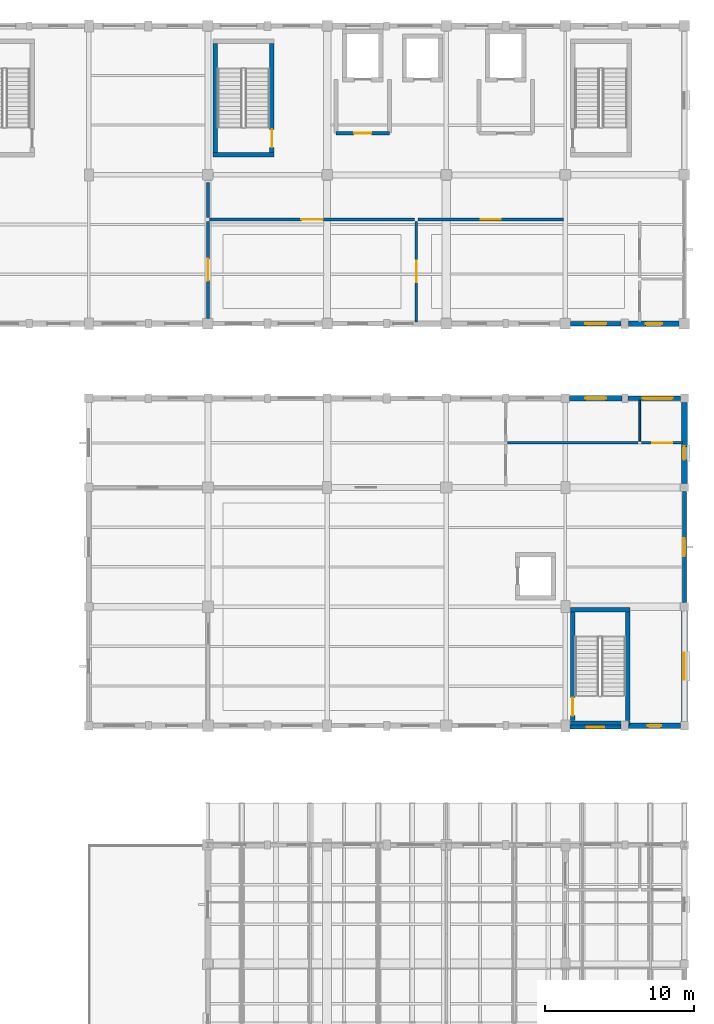
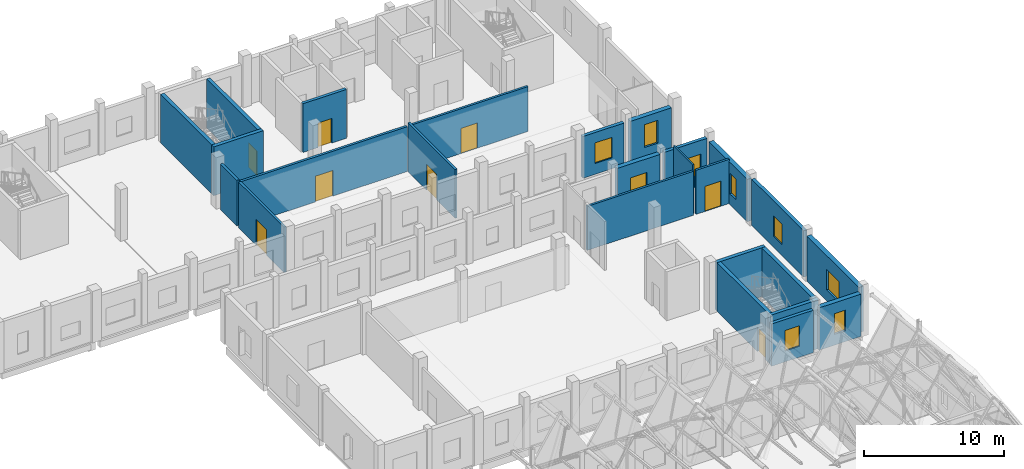
# One storey, part 49 of 77: 25 walls, 9 windows, 8 doors, 17 openings.
"""IFC4 building model written with IfcOpenShell, lengths in metres."""

from ifc_helpers import new_model, si_unit, direction, frame, frame_2d, origin, place, context, subcontext, project, spatial, rectangle, extrude, material, layer, layer_set, type_object, element, fill, save


model = new_model("IFC4")

# Units and contexts
model_context = context("Model", 3, precision=1e-05, world=origin(), true_north=direction((0.0, 1.0)))
body_context = subcontext(model_context, "Body", "Model", "MODEL_VIEW")
ifc_project = project(units=[si_unit("LENGTHUNIT", "METRE"), si_unit("AREAUNIT", "SQUARE_METRE"), si_unit("VOLUMEUNIT", "CUBIC_METRE"), si_unit("PLANEANGLEUNIT", "RADIAN"), si_unit("MASSUNIT", "GRAM", prefix="KILO")], contexts=[model_context])

# Site, building, storey
site_placement = place(None, origin())
site = spatial("IfcSite", under=ifc_project, at=site_placement, CompositionType="ELEMENT")
building_placement = place(site_placement, origin())
building = spatial("IfcBuilding", under=site, at=building_placement, Name="Luwemba Playhouse", CompositionType="ELEMENT")
storey_placement = place(building_placement, frame((0.0, 0.0, 9.300048828125)))
storey = spatial("IfcBuildingStorey", under=building, at=storey_placement, Name="L02", CompositionType="ELEMENT", Elevation=9.300048828125)

# Wall, opening, window
ifc_material_1 = material(Name="Clay facing brick obra vista masonry", Category="masonry")
ifc_layer_1 = layer(ifc_material_1, 0.3798828125)
ifc_layer_set_1 = layer_set([ifc_layer_1], Name="Clay facing brick obra vista masonry")
wall_type_1 = type_object("IfcWallType", Name="WAL-BRK-380", PredefinedType="SOLIDWALL", material=ifc_layer_set_1)
wall_1_placement = place(storey_placement, frame((164.27490234375, 90.0, 0.0), z_axis=(0.0, 0.0, 1.0), x_axis=(1.0, 0.0, 0.0)))
wall_1 = element("IfcWall", 1, at=wall_1_placement, inside=storey, type_object=wall_type_1, Name="L02 V4 exterior facade wall 0336", PredefinedType="SOLIDWALL", context=body_context, shape_type="SweptSolid", body=[
    extrude(rectangle(XDim=3.525146484375, YDim=0.3798828125, at=frame_2d((1.7626953125, 0.0))), origin(), (0.0, 0.0, 1.0), 3.954833984375),
])
opening_1_placement = place(wall_1_placement, frame((1.0625, 0.0, 0.949951171875)))
opening_1 = element("IfcOpeningElement", 2, at=opening_1_placement, cuts=wall_1, Name="Opening WN-02", PredefinedType="OPENING", context=body_context, shape_type="SweptSolid", body=[
    extrude(rectangle(XDim=1.39990234375, YDim=1.800048828125, at=frame_2d((0.699951171875, 0.89990234375))), frame((0.0, 0.199951171875, 0.0), z_axis=(0.0, -1.0, 0.0), x_axis=(1.0, 0.0, 0.0)), (0.0, 0.0, 1.0), 0.39990234375),
])
ifc_material_2 = material(Name="Solar-control double glazing in aluminium frame", Category="aluminium")
window_type_1 = type_object("IfcWindowType", Name="WIN-WN-02", PartitioningType="DOUBLE_PANEL_VERTICAL", PredefinedType="WINDOW", material=ifc_material_2)
window_1_placement = place(opening_1_placement, origin())
window_1 = element("IfcWindow", 3, at=window_1_placement, inside=storey, type_object=window_type_1, Name="L02 V4 scheduled window 0281", OverallHeight=1.800048828125, OverallWidth=1.39990234375, PartitioningType="DOUBLE_PANEL_VERTICAL", PredefinedType="WINDOW", context=body_context, shape_type="SweptSolid", body=[
    extrude(rectangle(XDim=1.39990234375, YDim=1.800048828125, at=frame_2d((0.699951171875, 0.89990234375))), frame((0.0, 0.030029296875, 0.0), z_axis=(0.0, -1.0, 0.0), x_axis=(1.0, 0.0, 0.0)), (0.0, 0.0, 1.0), 0.06005859375),
])
fill(opening_1, window_1)

wall_2_placement = place(storey_placement, frame((172.0, 89.72509765625, 0.0), z_axis=(0.0, 0.0, 1.0), x_axis=(0.0, -1.0, 0.0)))
wall_2 = element("IfcWall", 4, at=wall_2_placement, inside=storey, type_object=wall_type_1, Name="L02 V4 exterior facade wall 0338", PredefinedType="SOLIDWALL", context=body_context, shape_type="SweptSolid", body=[
    extrude(rectangle(XDim=5.4501953125, YDim=0.3798828125, at=frame_2d((2.72509765625, 0.0))), origin(), (0.0, 0.0, 1.0), 3.704833984375),
])
opening_2_placement = place(wall_2_placement, frame((2.965087890625, 0.0, 0.949951171875)))
opening_2 = element("IfcOpeningElement", 5, at=opening_2_placement, cuts=wall_2, Name="Opening WN-18", PredefinedType="OPENING", context=body_context, shape_type="SweptSolid", body=[
    extrude(rectangle(XDim=0.89990234375, YDim=1.800048828125, at=frame_2d((0.449951171875, 0.89990234375))), frame((0.0, 0.199951171875, 0.0), z_axis=(0.0, -1.0, 0.0), x_axis=(1.0, 0.0, 0.0)), (0.0, 0.0, 1.0), 0.39990234375),
])
window_type_2 = type_object("IfcWindowType", Name="WIN-WN-18", PartitioningType="SINGLE_PANEL", PredefinedType="WINDOW", material=ifc_material_2)
window_2_placement = place(opening_2_placement, origin())
window_2 = element("IfcWindow", 6, at=window_2_placement, inside=storey, type_object=window_type_2, Name="L02 V4 scheduled window 0283", OverallHeight=1.800048828125, OverallWidth=0.89990234375, PartitioningType="SINGLE_PANEL", PredefinedType="WINDOW", context=body_context, shape_type="SweptSolid", body=[
    extrude(rectangle(XDim=0.89990234375, YDim=1.800048828125, at=frame_2d((0.449951171875, 0.89990234375))), frame((0.0, 0.030029296875, 0.0), z_axis=(0.0, -1.0, 0.0), x_axis=(1.0, 0.0, 0.0)), (0.0, 0.0, 1.0), 0.06005859375),
])
fill(opening_2, window_2)

wall_3_placement = place(storey_placement, frame((172.0, 75.72509765625, 0.0), z_axis=(0.0, 0.0, 1.0), x_axis=(0.0, -1.0, 0.0)))
wall_3 = element("IfcWall", 7, at=wall_3_placement, inside=storey, type_object=wall_type_1, Name="L02 V4 exterior facade wall 0340", PredefinedType="SOLIDWALL", context=body_context, shape_type="SweptSolid", body=[
    extrude(rectangle(XDim=7.4501953125, YDim=0.3798828125, at=frame_2d((3.72509765625, 0.0))), origin(), (0.0, 0.0, 1.0), 3.954833984375),
])
opening_3_placement = place(wall_3_placement, frame((2.824951171875, 0.0, 0.949951171875)))
opening_3 = element("IfcOpeningElement", 8, at=opening_3_placement, cuts=wall_3, Name="Opening WN-04", PredefinedType="OPENING", context=body_context, shape_type="SweptSolid", body=[
    extrude(rectangle(XDim=1.800048828125, YDim=1.800048828125, at=frame_2d((0.89990234375, 0.89990234375))), frame((0.0, 0.199951171875, 0.0), z_axis=(0.0, -1.0, 0.0), x_axis=(1.0, 0.0, 0.0)), (0.0, 0.0, 1.0), 0.39990234375),
])
window_type_3 = type_object("IfcWindowType", Name="WIN-WN-04", PartitioningType="DOUBLE_PANEL_VERTICAL", PredefinedType="WINDOW", material=ifc_material_2)
window_3_placement = place(opening_3_placement, origin())
window_3 = element("IfcWindow", 9, at=window_3_placement, inside=storey, type_object=window_type_3, Name="L02 V4 scheduled window 0285", OverallHeight=1.800048828125, OverallWidth=1.800048828125, PartitioningType="DOUBLE_PANEL_VERTICAL", PredefinedType="WINDOW", context=body_context, shape_type="SweptSolid", body=[
    extrude(rectangle(XDim=1.800048828125, YDim=1.800048828125, at=frame_2d((0.89990234375, 0.89990234375))), frame((0.0, 0.030029296875, 0.0), z_axis=(0.0, -1.0, 0.0), x_axis=(1.0, 0.0, 0.0)), (0.0, 0.0, 1.0), 0.06005859375),
])
fill(opening_3, window_3)

wall_4_placement = place(storey_placement, frame((171.72509765625, 68.0, 0.0), z_axis=(0.0, 0.0, 1.0), x_axis=(-1.0, 0.0, 0.0)))
wall_4 = element("IfcWall", 10, at=wall_4_placement, inside=storey, type_object=wall_type_1, Name="L02 V4 exterior facade wall 0341", PredefinedType="SOLIDWALL", context=body_context, shape_type="SweptSolid", body=[
    extrude(rectangle(XDim=3.47509765625, YDim=0.3798828125, at=frame_2d((1.737548828125, 0.0))), origin(), (0.0, 0.0, 1.0), 3.704833984375),
])
opening_4_placement = place(wall_4_placement, frame((1.28759765625, 0.0, 0.949951171875)))
opening_4 = element("IfcOpeningElement", 11, at=opening_4_placement, cuts=wall_4, Name="Opening WN-18", PredefinedType="OPENING", context=body_context, shape_type="SweptSolid", body=[
    extrude(rectangle(XDim=0.89990234375, YDim=1.800048828125, at=frame_2d((0.449951171875, 0.89990234375))), frame((0.0, 0.199951171875, 0.0), z_axis=(0.0, -1.0, 0.0), x_axis=(1.0, 0.0, 0.0)), (0.0, 0.0, 1.0), 0.39990234375),
])
window_4_placement = place(opening_4_placement, origin())
window_4 = element("IfcWindow", 12, at=window_4_placement, inside=storey, type_object=window_type_2, Name="L02 V4 scheduled window 0286", OverallHeight=1.800048828125, OverallWidth=0.89990234375, PartitioningType="SINGLE_PANEL", PredefinedType="WINDOW", context=body_context, shape_type="SweptSolid", body=[
    extrude(rectangle(XDim=0.89990234375, YDim=1.800048828125, at=frame_2d((0.449951171875, 0.89990234375))), frame((0.0, 0.030029296875, 0.0), z_axis=(0.0, -1.0, 0.0), x_axis=(1.0, 0.0, 0.0)), (0.0, 0.0, 1.0), 0.06005859375),
])
fill(opening_4, window_4)

wall_5_placement = place(storey_placement, frame((171.64990234375, 95.0, 0.0), z_axis=(0.0, 0.0, 1.0), x_axis=(-1.0, 0.0, 0.0)))
wall_5 = element("IfcWall", 13, at=wall_5_placement, inside=storey, type_object=wall_type_1, Name="L02 V6E exterior facade wall 0394", PredefinedType="SOLIDWALL", context=body_context, shape_type="SweptSolid", body=[
    extrude(rectangle(XDim=3.39990234375, YDim=0.3798828125, at=frame_2d((1.699951171875, 0.0))), origin(), (0.0, 0.0, 1.0), 3.655029296875),
])
opening_5_placement = place(wall_5_placement, frame((1.14990234375, 0.0, 0.949951171875)))
opening_5 = element("IfcOpeningElement", 14, at=opening_5_placement, cuts=wall_5, Name="Opening WN-19", PredefinedType="OPENING", context=body_context, shape_type="SweptSolid", body=[
    extrude(rectangle(XDim=1.10009765625, YDim=2.0, at=frame_2d((0.550048828125, 1.0))), frame((0.0, 0.199951171875, 0.0), z_axis=(0.0, -1.0, 0.0), x_axis=(1.0, 0.0, 0.0)), (0.0, 0.0, 1.0), 0.39990234375),
])
window_type_4 = type_object("IfcWindowType", Name="WIN-WN-19", PartitioningType="SINGLE_PANEL", PredefinedType="WINDOW", material=ifc_material_2)
window_5_placement = place(opening_5_placement, origin())
window_5 = element("IfcWindow", 15, at=window_5_placement, inside=storey, type_object=window_type_4, Name="L02 V6E scheduled window 0337", OverallHeight=2.0, OverallWidth=1.10009765625, PartitioningType="SINGLE_PANEL", PredefinedType="WINDOW", context=body_context, shape_type="SweptSolid", body=[
    extrude(rectangle(XDim=1.10009765625, YDim=2.0, at=frame_2d((0.550048828125, 1.0))), frame((0.0, 0.030029296875, 0.0), z_axis=(0.0, -1.0, 0.0), x_axis=(1.0, 0.0, 0.0)), (0.0, 0.0, 1.0), 0.06005859375),
])
fill(opening_5, window_5)

# Walls
ifc_material_3 = material(Name="Concrete C40/50", Category="concrete")
ifc_layer_2 = layer(ifc_material_3, 0.300048828125)
ifc_layer_set_2 = layer_set([ifc_layer_2], Name="Concrete C40/50")
wall_type_2 = type_object("IfcWallType", Name="WAL-CORE-300", PredefinedType="SHEAR", material=ifc_layer_set_2)
for number, where, z_axis, x_axis, name in (
    (16, (164.35009765625, 68.18994140625, 0.0), (0.0, 0.0, 1.0), (1.0, 0.0, 0.0), "L02 ST-07 stair core wall S"),
    (17, (168.35009765625, 75.81005859375, 0.0), (0.0, 0.0, 1.0), (-1.0, 0.0, 0.0), "L02 ST-07 stair core wall N"),
):
    element("IfcWall", number, at=place(storey_placement, frame(where, z_axis=z_axis, x_axis=x_axis)), inside=storey, type_object=wall_type_2, Name=name, PredefinedType="SHEAR", context=body_context, shape_type="SweptSolid", body=[
        extrude(rectangle(XDim=4.0, YDim=0.300048828125, at=frame_2d((2.0, 0.0))), origin(), (0.0, 0.0, 1.0), 4.27001953125),
    ])

# Wall, opening, door
wall_6_placement = place(storey_placement, frame((164.5, 75.659912109375, 0.0), z_axis=(0.0, 0.0, 1.0), x_axis=(0.0, -1.0, 0.0)))
wall_6 = element("IfcWall", 18, at=wall_6_placement, inside=storey, type_object=wall_type_2, Name="L02 ST-07 stair core wall W", PredefinedType="SHEAR", context=body_context, shape_type="SweptSolid", body=[
    extrude(rectangle(XDim=7.31982421875, YDim=0.300048828125, at=frame_2d((3.659912109375, 0.0))), origin(), (0.0, 0.0, 1.0), 4.27001953125),
])
opening_6_placement = place(wall_6_placement, frame((5.77001953125, 0.0, 0.0)))
opening_6 = element("IfcOpeningElement", 19, at=opening_6_placement, cuts=wall_6, Name="Opening D-STAIR3", PredefinedType="OPENING", context=body_context, shape_type="SweptSolid", body=[
    extrude(rectangle(XDim=1.199951171875, YDim=2.14990234375, at=frame_2d((0.60009765625, 1.074951171875))), frame((0.0, 0.159912109375, 0.0), z_axis=(0.0, -1.0, 0.0), x_axis=(1.0, 0.0, 0.0)), (0.0, 0.0, 1.0), 0.320068359375),
])
ifc_material_4 = material(Name="Hardwood acoustic fire door leaf", Category="wood")
door_type_1 = type_object("IfcDoorType", Name="DR-STAIR-120", OperationType="NOTDEFINED", PredefinedType="DOOR", material=ifc_material_4)
door_1_placement = place(opening_6_placement, origin())
door_1 = element("IfcDoor", 20, at=door_1_placement, inside=storey, type_object=door_type_1, Name="L02 ST-07 protected stair entry door", OperationType="SINGLE_SWING_LEFT", OverallHeight=2.14990234375, OverallWidth=1.199951171875, PredefinedType="DOOR", context=body_context, shape_type="SweptSolid", body=[
    extrude(rectangle(XDim=1.199951171875, YDim=2.14990234375, at=frame_2d((0.60009765625, 1.074951171875))), frame((0.0, 0.02490234375, 0.0), z_axis=(0.0, -1.0, 0.0), x_axis=(1.0, 0.0, 0.0)), (0.0, 0.0, 1.0), 0.050048828125),
])
fill(opening_6, door_1)

# Walls
wall_7_placement = place(storey_placement, frame((168.199951171875, 75.659912109375, 0.0), z_axis=(0.0, 0.0, 1.0), x_axis=(0.0, -1.0, 0.0)))
element("IfcWall", 21, at=wall_7_placement, inside=storey, type_object=wall_type_2, Name="L02 ST-07 stair core wall E", PredefinedType="SHEAR", context=body_context, shape_type="SweptSolid", body=[
    extrude(rectangle(XDim=7.31982421875, YDim=0.300048828125, at=frame_2d((3.659912109375, 0.0))), origin(), (0.0, 0.0, 1.0), 4.27001953125),
])
wall_8_placement = place(storey_placement, frame((140.35009765625, 106.35009765625, 0.0), z_axis=(0.0, 0.0, 1.0), x_axis=(1.0, 0.0, 0.0)))
element("IfcWall", 22, at=wall_8_placement, inside=storey, type_object=wall_type_2, Name="L02 ST-09 stair core wall S", PredefinedType="SHEAR", context=body_context, shape_type="SweptSolid", body=[
    extrude(rectangle(XDim=4.099853515625, YDim=0.300048828125, at=frame_2d((2.0498046875, 0.0))), origin(), (0.0, 0.0, 1.0), 4.27001953125),
])
wall_9_placement = place(storey_placement, frame((140.5, 106.5, 0.0), z_axis=(0.0, 0.0, 1.0), x_axis=(0.0, 1.0, 0.0)))
element("IfcWall", 23, at=wall_9_placement, inside=storey, type_object=wall_type_2, Name="L02 ST-09 stair core wall W", PredefinedType="SHEAR", context=body_context, shape_type="SweptSolid", body=[
    extrude(rectangle(XDim=7.320068359375, YDim=0.300048828125, at=frame_2d((3.66015625, 0.0))), origin(), (0.0, 0.0, 1.0), 4.27001953125),
])

# Wall, opening, door
wall_10_placement = place(storey_placement, frame((144.300048828125, 106.5, 0.0), z_axis=(0.0, 0.0, 1.0), x_axis=(0.0, 1.0, 0.0)))
wall_10 = element("IfcWall", 24, at=wall_10_placement, inside=storey, type_object=wall_type_2, Name="L02 ST-09 stair core wall E", PredefinedType="SHEAR", context=body_context, shape_type="SweptSolid", body=[
    extrude(rectangle(XDim=7.320068359375, YDim=0.300048828125, at=frame_2d((3.66015625, 0.0))), origin(), (0.0, 0.0, 1.0), 4.27001953125),
])
opening_7_placement = place(wall_10_placement, frame((0.35009765625, 0.0, 0.0)))
opening_7 = element("IfcOpeningElement", 25, at=opening_7_placement, cuts=wall_10, Name="Opening D-STAIR3", PredefinedType="OPENING", context=body_context, shape_type="SweptSolid", body=[
    extrude(rectangle(XDim=1.199951171875, YDim=2.14990234375, at=frame_2d((0.60009765625, 1.074951171875))), frame((0.0, 0.159912109375, 0.0), z_axis=(0.0, -1.0, 0.0), x_axis=(1.0, 0.0, 0.0)), (0.0, 0.0, 1.0), 0.320068359375),
])
door_2_placement = place(opening_7_placement, origin())
door_2 = element("IfcDoor", 26, at=door_2_placement, inside=storey, type_object=door_type_1, Name="L02 ST-09 protected stair entry door", OperationType="SINGLE_SWING_LEFT", OverallHeight=2.14990234375, OverallWidth=1.199951171875, PredefinedType="DOOR", context=body_context, shape_type="SweptSolid", body=[
    extrude(rectangle(XDim=1.199951171875, YDim=2.14990234375, at=frame_2d((0.60009765625, 1.074951171875))), frame((0.0, 0.02490234375, 0.0), z_axis=(0.0, -1.0, 0.0), x_axis=(1.0, 0.0, 0.0)), (0.0, 0.0, 1.0), 0.050048828125),
])
fill(opening_7, door_2)

ifc_layer_3 = layer(ifc_material_3, 0.25)
ifc_layer_set_3 = layer_set([ifc_layer_3], Name="Concrete C40/50")
wall_type_3 = type_object("IfcWallType", Name="WAL-FFL-250", PredefinedType="SOLIDWALL", material=ifc_layer_set_3)
wall_11_placement = place(storey_placement, frame((152.199951171875, 107.800048828125, 0.0), z_axis=(0.0, 0.0, 1.0), x_axis=(-1.0, 0.0, 0.0)))
wall_11 = element("IfcWall", 27, at=wall_11_placement, inside=storey, type_object=wall_type_3, Name="L02 LF-FF1 firefighting lift lobby wall S", PredefinedType="SOLIDWALL", context=body_context, shape_type="SweptSolid", body=[
    extrude(rectangle(XDim=3.599853515625, YDim=0.25, at=frame_2d((1.7998046875, 0.0))), origin(), (0.0, 0.0, 1.0), 4.27001953125),
])
opening_8_placement = place(wall_11_placement, frame((1.22509765625, 0.0, 0.0)))
opening_8 = element("IfcOpeningElement", 28, at=opening_8_placement, cuts=wall_11, Name="Opening D-FD60", PredefinedType="OPENING", context=body_context, shape_type="SweptSolid", body=[
    extrude(rectangle(XDim=1.14990234375, YDim=2.14990234375, at=frame_2d((0.574951171875, 1.074951171875))), frame((0.0, 0.135009765625, 0.0), z_axis=(0.0, -1.0, 0.0), x_axis=(1.0, 0.0, 0.0)), (0.0, 0.0, 1.0), 0.27001953125),
])
ifc_material_5 = material(Name="Hardwood smoke-sealed fire door leaf", Category="wood")
door_type_2 = type_object("IfcDoorType", Name="DR-FFL-115", OperationType="NOTDEFINED", PredefinedType="DOOR", material=ifc_material_5)
door_3_placement = place(opening_8_placement, origin())
door_3 = element("IfcDoor", 29, at=door_3_placement, inside=storey, type_object=door_type_2, Name="L02 LF-FF1 firefighting lobby smoke door", OperationType="SINGLE_SWING_RIGHT", OverallHeight=2.14990234375, OverallWidth=1.14990234375, PredefinedType="DOOR", context=body_context, shape_type="SweptSolid", body=[
    extrude(rectangle(XDim=1.14990234375, YDim=2.14990234375, at=frame_2d((0.574951171875, 1.074951171875))), frame((0.0, 0.02490234375, 0.0), z_axis=(0.0, -1.0, 0.0), x_axis=(1.0, 0.0, 0.0)), (0.0, 0.0, 1.0), 0.050048828125),
])
fill(opening_8, door_3)

# Wall
ifc_material_6 = material(Name="Moisture-resistant sanitary partition", Category="gypsum")
ifc_layer_4 = layer(ifc_material_6, 0.1201171875)
ifc_layer_set_4 = layer_set([ifc_layer_4], Name="Moisture-resistant sanitary partition")
wall_type_4 = type_object("IfcWallType", Name="WAL-INT-120", PredefinedType="PARTITIONING", material=ifc_layer_set_4)
wall_12_placement = place(storey_placement, frame((169.0, 87.1201171875, 0.0), z_axis=(0.0, 0.0, 1.0), x_axis=(0.0, 1.0, 0.0)))
element("IfcWall", 30, at=wall_12_placement, inside=storey, type_object=wall_type_4, Name="L02 V4 interior partition 0185", PredefinedType="PARTITIONING", context=body_context, shape_type="SweptSolid", body=[
    extrude(rectangle(XDim=2.759765625, YDim=0.1201171875, at=frame_2d((1.3798828125, 0.0))), origin(), (0.0, 0.0, 1.0), 4.27001953125),
])

# Wall, opening, door
ifc_material_7 = material(Name="Double-stud acoustic gypsum partition", Category="gypsum")
ifc_layer_5 = layer(ifc_material_7, 0.179931640625)
ifc_layer_set_5 = layer_set([ifc_layer_5], Name="Double-stud acoustic gypsum partition")
wall_type_5 = type_object("IfcWallType", Name="WAL-INT-180", PredefinedType="PARTITIONING", material=ifc_layer_set_5)
wall_13_placement = place(storey_placement, frame((169.1201171875, 87.0, 0.0), z_axis=(0.0, 0.0, 1.0), x_axis=(1.0, 0.0, 0.0)))
wall_13 = element("IfcWall", 31, at=wall_13_placement, inside=storey, type_object=wall_type_5, Name="L02 V4 interior partition 0183", PredefinedType="PARTITIONING", context=body_context, shape_type="SweptSolid", body=[
    extrude(rectangle(XDim=2.759765625, YDim=0.179931640625, at=frame_2d((1.3798828125, 0.0))), origin(), (0.0, 0.0, 1.0), 3.85498046875),
])
opening_9_placement = place(wall_13_placement, frame((0.705078125, 0.0, 0.0)))
opening_9 = element("IfcOpeningElement", 32, at=opening_9_placement, cuts=wall_13, Name="Opening D-STU1", PredefinedType="OPENING", context=body_context, shape_type="SweptSolid", body=[
    extrude(rectangle(XDim=1.35009765625, YDim=2.199951171875, at=frame_2d((0.675048828125, 1.10009765625))), frame((0.0, 0.099853515625, 0.0), z_axis=(0.0, -1.0, 0.0), x_axis=(1.0, 0.0, 0.0)), (0.0, 0.0, 1.0), 0.199951171875),
])
ifc_material_8 = material(Name="Acoustic studio door", Category="wood")
door_type_3 = type_object("IfcDoorType", Name="DR-STU-135", OperationType="NOTDEFINED", PredefinedType="DOOR", material=ifc_material_8)
door_4_placement = place(opening_9_placement, origin())
door_4 = element("IfcDoor", 33, at=door_4_placement, inside=storey, type_object=door_type_3, Name="L02 Broadcast Master Control Room to Broadcast Floor Accessible WC door", OperationType="SINGLE_SWING_RIGHT", OverallHeight=2.199951171875, OverallWidth=1.35009765625, PredefinedType="DOOR", context=body_context, shape_type="SweptSolid", body=[
    extrude(rectangle(XDim=1.35009765625, YDim=2.199951171875, at=frame_2d((0.675048828125, 1.10009765625))), frame((0.0, 0.02490234375, 0.0), z_axis=(0.0, -1.0, 0.0), x_axis=(1.0, 0.0, 0.0)), (0.0, 0.0, 1.0), 0.050048828125),
])
fill(opening_9, door_4)

# Wall
wall_14_placement = place(storey_placement, frame((160.1201171875, 87.0, 0.0), z_axis=(0.0, 0.0, 1.0), x_axis=(1.0, 0.0, 0.0)))
element("IfcWall", 34, at=wall_14_placement, inside=storey, type_object=wall_type_5, Name="L02 V4 interior partition 0184", PredefinedType="PARTITIONING", context=body_context, shape_type="SweptSolid", body=[
    extrude(rectangle(XDim=8.759765625, YDim=0.179931640625, at=frame_2d((4.3798828125, 0.0))), origin(), (0.0, 0.0, 1.0), 3.85498046875),
])

# Wall, opening, door
wall_15_placement = place(storey_placement, frame((154.0, 95.1201171875, 0.0), z_axis=(0.0, 0.0, 1.0), x_axis=(0.0, 1.0, 0.0)))
wall_15 = element("IfcWall", 35, at=wall_15_placement, inside=storey, type_object=wall_type_5, Name="L02 V6E interior partition 0191", PredefinedType="PARTITIONING", context=body_context, shape_type="SweptSolid", body=[
    extrude(rectangle(XDim=6.759765625, YDim=0.179931640625, at=frame_2d((3.3798828125, 0.0))), origin(), (0.0, 0.0, 1.0), 4.27001953125),
])
opening_10_placement = place(wall_15_placement, frame((2.655029296875, 0.0, 0.0)))
opening_10 = element("IfcOpeningElement", 36, at=opening_10_placement, cuts=wall_15, Name="Opening D-REH1", PredefinedType="OPENING", context=body_context, shape_type="SweptSolid", body=[
    extrude(rectangle(XDim=1.449951171875, YDim=2.25, at=frame_2d((0.72509765625, 1.125))), frame((0.0, 0.099853515625, 0.0), z_axis=(0.0, -1.0, 0.0), x_axis=(1.0, 0.0, 0.0)), (0.0, 0.0, 1.0), 0.199951171875),
])
ifc_material_9 = material(Name="Acoustic rehearsal leaf-and-half door", Category="wood")
door_type_4 = type_object("IfcDoorType", Name="DR-REH-145", OperationType="NOTDEFINED", PredefinedType="DOOR", material=ifc_material_9)
door_5_placement = place(opening_10_placement, origin())
door_5 = element("IfcDoor", 37, at=door_5_placement, inside=storey, type_object=door_type_4, Name="L02 Percussion and Traditional Drum Studio to Vocal Coaching Suites door", OperationType="SINGLE_SWING_LEFT", OverallHeight=2.25, OverallWidth=1.449951171875, PredefinedType="DOOR", context=body_context, shape_type="SweptSolid", body=[
    extrude(rectangle(XDim=1.449951171875, YDim=2.25, at=frame_2d((0.72509765625, 1.125))), frame((0.0, 0.02490234375, 0.0), z_axis=(0.0, -1.0, 0.0), x_axis=(1.0, 0.0, 0.0)), (0.0, 0.0, 1.0), 0.050048828125),
])
fill(opening_10, door_5)

wall_16_placement = place(storey_placement, frame((154.1201171875, 102.0, 0.0), z_axis=(0.0, 0.0, 1.0), x_axis=(1.0, 0.0, 0.0)))
wall_16 = element("IfcWall", 38, at=wall_16_placement, inside=storey, type_object=wall_type_5, Name="L02 V6E interior partition 0193", PredefinedType="PARTITIONING", context=body_context, shape_type="SweptSolid", body=[
    extrude(rectangle(XDim=9.759765625, YDim=0.179931640625, at=frame_2d((4.8798828125, 0.0))), origin(), (0.0, 0.0, 1.0), 3.925048828125),
])
opening_11_placement = place(wall_16_placement, frame((4.205078125, 0.0, 0.0)))
opening_11 = element("IfcOpeningElement", 39, at=opening_11_placement, cuts=wall_16, Name="Opening D-STU1", PredefinedType="OPENING", context=body_context, shape_type="SweptSolid", body=[
    extrude(rectangle(XDim=1.35009765625, YDim=2.199951171875, at=frame_2d((0.675048828125, 1.10009765625))), frame((0.0, 0.099853515625, 0.0), z_axis=(0.0, -1.0, 0.0), x_axis=(1.0, 0.0, 0.0)), (0.0, 0.0, 1.0), 0.199951171875),
])
door_6_placement = place(opening_11_placement, origin())
door_6 = element("IfcDoor", 40, at=door_6_placement, inside=storey, type_object=door_type_3, Name="L02 Vocal Coaching Suites to Conservatory Level 2 Corridor door", OperationType="SINGLE_SWING_LEFT", OverallHeight=2.199951171875, OverallWidth=1.35009765625, PredefinedType="DOOR", context=body_context, shape_type="SweptSolid", body=[
    extrude(rectangle(XDim=1.35009765625, YDim=2.199951171875, at=frame_2d((0.675048828125, 1.10009765625))), frame((0.0, 0.02490234375, 0.0), z_axis=(0.0, -1.0, 0.0), x_axis=(1.0, 0.0, 0.0)), (0.0, 0.0, 1.0), 0.050048828125),
])
fill(opening_11, door_6)

ifc_material_10 = material(Name="Clay acoustic masonry blockwork", Category="masonry")
ifc_layer_6 = layer(ifc_material_10, 0.199951171875)
ifc_layer_set_6 = layer_set([ifc_layer_6], Name="Clay acoustic masonry blockwork")
wall_type_6 = type_object("IfcWallType", Name="WAL-INT-200", PredefinedType="PARTITIONING", material=ifc_layer_set_6)
wall_17_placement = place(storey_placement, frame((140.0, 95.3701171875, 0.0), z_axis=(0.0, 0.0, 1.0), x_axis=(0.0, 1.0, 0.0)))
wall_17 = element("IfcWall", 41, at=wall_17_placement, inside=storey, type_object=wall_type_6, Name="L02 V6E interior partition 0189", PredefinedType="PARTITIONING", context=body_context, shape_type="SweptSolid", body=[
    extrude(rectangle(XDim=6.509765625, YDim=0.199951171875, at=frame_2d((3.2548828125, 0.0))), origin(), (0.0, 0.0, 1.0), 3.98486328125),
])
opening_12_placement = place(wall_17_placement, frame((2.530029296875, 0.0, 0.0)))
opening_12 = element("IfcOpeningElement", 42, at=opening_12_placement, cuts=wall_17, Name="Opening D-REH1", PredefinedType="OPENING", context=body_context, shape_type="SweptSolid", body=[
    extrude(rectangle(XDim=1.449951171875, YDim=2.25, at=frame_2d((0.72509765625, 1.125))), frame((0.0, 0.10986328125, 0.0), z_axis=(0.0, -1.0, 0.0), x_axis=(1.0, 0.0, 0.0)), (0.0, 0.0, 1.0), 0.219970703125),
])
door_7_placement = place(opening_12_placement, origin())
door_7 = element("IfcDoor", 43, at=door_7_placement, inside=storey, type_object=door_type_4, Name="L02 Sprung-Floor Main Stage Rehearsal Hall to Percussion and Traditional Drum Studio door", OperationType="SINGLE_SWING_RIGHT", OverallHeight=2.25, OverallWidth=1.449951171875, PredefinedType="DOOR", context=body_context, shape_type="SweptSolid", body=[
    extrude(rectangle(XDim=1.449951171875, YDim=2.25, at=frame_2d((0.72509765625, 1.125))), frame((0.0, 0.02490234375, 0.0), z_axis=(0.0, -1.0, 0.0), x_axis=(1.0, 0.0, 0.0)), (0.0, 0.0, 1.0), 0.050048828125),
])
fill(opening_12, door_7)

# Wall
wall_18_placement = place(storey_placement, frame((140.0, 102.1201171875, 0.0), z_axis=(0.0, 0.0, 1.0), x_axis=(0.0, 1.0, 0.0)))
element("IfcWall", 44, at=wall_18_placement, inside=storey, type_object=wall_type_6, Name="L02 V6E interior partition 0190", PredefinedType="PARTITIONING", context=body_context, shape_type="SweptSolid", body=[
    extrude(rectangle(XDim=2.35986328125, YDim=0.199951171875, at=frame_2d((1.179931640625, 0.0))), origin(), (0.0, 0.0, 1.0), 3.98486328125),
])

# Wall, opening, door
wall_19_placement = place(storey_placement, frame((140.1201171875, 102.0, 0.0), z_axis=(0.0, 0.0, 1.0), x_axis=(1.0, 0.0, 0.0)))
wall_19 = element("IfcWall", 45, at=wall_19_placement, inside=storey, type_object=wall_type_6, Name="L02 V6E interior partition 0192", PredefinedType="PARTITIONING", context=body_context, shape_type="SweptSolid", body=[
    extrude(rectangle(XDim=13.759765625, YDim=0.199951171875, at=frame_2d((6.8798828125, 0.0))), origin(), (0.0, 0.0, 1.0), 3.925048828125),
])
opening_13_placement = place(wall_19_placement, frame((6.155029296875, 0.0, 0.0)))
opening_13 = element("IfcOpeningElement", 46, at=opening_13_placement, cuts=wall_19, Name="Opening D-REH1", PredefinedType="OPENING", context=body_context, shape_type="SweptSolid", body=[
    extrude(rectangle(XDim=1.449951171875, YDim=2.25, at=frame_2d((0.72509765625, 1.125))), frame((0.0, 0.10986328125, 0.0), z_axis=(0.0, -1.0, 0.0), x_axis=(1.0, 0.0, 0.0)), (0.0, 0.0, 1.0), 0.219970703125),
])
door_8_placement = place(opening_13_placement, origin())
door_8 = element("IfcDoor", 47, at=door_8_placement, inside=storey, type_object=door_type_4, Name="L02 Percussion and Traditional Drum Studio to Conservatory Level 2 Corridor door", OperationType="SINGLE_SWING_RIGHT", OverallHeight=2.25, OverallWidth=1.449951171875, PredefinedType="DOOR", context=body_context, shape_type="SweptSolid", body=[
    extrude(rectangle(XDim=1.449951171875, YDim=2.25, at=frame_2d((0.72509765625, 1.125))), frame((0.0, 0.02490234375, 0.0), z_axis=(0.0, -1.0, 0.0), x_axis=(1.0, 0.0, 0.0)), (0.0, 0.0, 1.0), 0.050048828125),
])
fill(opening_13, door_8)

# Wall, opening, window
ifc_material_11 = material(Name="Structural timber GL24h infill", Category="wood")
ifc_layer_7 = layer(ifc_material_11, 0.280029296875)
ifc_layer_set_7 = layer_set([ifc_layer_7], Name="Structural timber GL24h infill")
wall_type_7 = type_object("IfcWallType", Name="WAL-TIM-280", PredefinedType="SOLIDWALL", material=ifc_layer_set_7)
wall_20_placement = place(storey_placement, frame((168.199951171875, 90.0, 0.0), z_axis=(0.0, 0.0, 1.0), x_axis=(1.0, 0.0, 0.0)))
wall_20 = element("IfcWall", 48, at=wall_20_placement, inside=storey, type_object=wall_type_7, Name="L02 V4 exterior facade wall 0337", PredefinedType="SOLIDWALL", context=body_context, shape_type="SweptSolid", body=[
    extrude(rectangle(XDim=3.525146484375, YDim=0.280029296875, at=frame_2d((1.7626953125, 0.0))), origin(), (0.0, 0.0, 1.0), 3.954833984375),
])
opening_14_placement = place(wall_20_placement, frame((1.010009765625, 0.0, 0.949951171875)))
opening_14 = element("IfcOpeningElement", 49, at=opening_14_placement, cuts=wall_20, Name="Opening WN-05", PredefinedType="OPENING", context=body_context, shape_type="SweptSolid", body=[
    extrude(rectangle(XDim=2.0, YDim=1.800048828125, at=frame_2d((1.0, 0.89990234375))), frame((0.0, 0.14990234375, 0.0), z_axis=(0.0, -1.0, 0.0), x_axis=(1.0, 0.0, 0.0)), (0.0, 0.0, 1.0), 0.300048828125),
])
window_type_5 = type_object("IfcWindowType", Name="WIN-WN-05", PartitioningType="TRIPLE_PANEL_VERTICAL", PredefinedType="WINDOW", material=ifc_material_2)
window_6_placement = place(opening_14_placement, origin())
window_6 = element("IfcWindow", 50, at=window_6_placement, inside=storey, type_object=window_type_5, Name="L02 V4 scheduled window 0282", OverallHeight=1.800048828125, OverallWidth=2.0, PartitioningType="TRIPLE_PANEL_VERTICAL", PredefinedType="WINDOW", context=body_context, shape_type="SweptSolid", body=[
    extrude(rectangle(XDim=2.0, YDim=1.800048828125, at=frame_2d((1.0, 0.89990234375))), frame((0.0, 0.030029296875, 0.0), z_axis=(0.0, -1.0, 0.0), x_axis=(1.0, 0.0, 0.0)), (0.0, 0.0, 1.0), 0.06005859375),
])
fill(opening_14, window_6)

wall_21_placement = place(storey_placement, frame((172.0, 83.72509765625, 0.0), z_axis=(0.0, 0.0, 1.0), x_axis=(0.0, -1.0, 0.0)))
wall_21 = element("IfcWall", 51, at=wall_21_placement, inside=storey, type_object=wall_type_7, Name="L02 V4 exterior facade wall 0339", PredefinedType="SOLIDWALL", context=body_context, shape_type="SweptSolid", body=[
    extrude(rectangle(XDim=7.4501953125, YDim=0.280029296875, at=frame_2d((3.72509765625, 0.0))), origin(), (0.0, 0.0, 1.0), 4.054931640625),
])
opening_15_placement = place(wall_21_placement, frame((3.125, 0.0, 0.949951171875)))
opening_15 = element("IfcOpeningElement", 52, at=opening_15_placement, cuts=wall_21, Name="Opening WN-01", PredefinedType="OPENING", context=body_context, shape_type="SweptSolid", body=[
    extrude(rectangle(XDim=1.199951171875, YDim=1.800048828125, at=frame_2d((0.60009765625, 0.89990234375))), frame((0.0, 0.14990234375, 0.0), z_axis=(0.0, -1.0, 0.0), x_axis=(1.0, 0.0, 0.0)), (0.0, 0.0, 1.0), 0.300048828125),
])
window_type_6 = type_object("IfcWindowType", Name="WIN-WN-01", PartitioningType="SINGLE_PANEL", PredefinedType="WINDOW", material=ifc_material_2)
window_7_placement = place(opening_15_placement, origin())
window_7 = element("IfcWindow", 53, at=window_7_placement, inside=storey, type_object=window_type_6, Name="L02 V4 scheduled window 0284", OverallHeight=1.800048828125, OverallWidth=1.199951171875, PartitioningType="SINGLE_PANEL", PredefinedType="WINDOW", context=body_context, shape_type="SweptSolid", body=[
    extrude(rectangle(XDim=1.199951171875, YDim=1.800048828125, at=frame_2d((0.60009765625, 0.89990234375))), frame((0.0, 0.030029296875, 0.0), z_axis=(0.0, -1.0, 0.0), x_axis=(1.0, 0.0, 0.0)), (0.0, 0.0, 1.0), 0.06005859375),
])
fill(opening_15, window_7)

wall_22_placement = place(storey_placement, frame((167.75, 67.909912109375, 0.0), z_axis=(0.0, 0.0, 1.0), x_axis=(-1.0, 0.0, 0.0)))
wall_22 = element("IfcWall", 54, at=wall_22_placement, inside=storey, type_object=wall_type_7, Name="L02 V4 exterior facade wall 0342", PredefinedType="SOLIDWALL", context=body_context, shape_type="SweptSolid", body=[
    extrude(rectangle(XDim=3.449951171875, YDim=0.280029296875, at=frame_2d((1.72509765625, 0.0))), origin(), (0.0, 0.0, 1.0), 3.704833984375),
])
opening_16_placement = place(wall_22_placement, frame((1.125, 0.0, 0.949951171875)))
opening_16 = element("IfcOpeningElement", 55, at=opening_16_placement, cuts=wall_22, Name="Opening WN-01", PredefinedType="OPENING", context=body_context, shape_type="SweptSolid", body=[
    extrude(rectangle(XDim=1.199951171875, YDim=1.800048828125, at=frame_2d((0.60009765625, 0.89990234375))), frame((0.0, 0.14990234375, 0.0), z_axis=(0.0, -1.0, 0.0), x_axis=(1.0, 0.0, 0.0)), (0.0, 0.0, 1.0), 0.300048828125),
])
window_8_placement = place(opening_16_placement, origin())
window_8 = element("IfcWindow", 56, at=window_8_placement, inside=storey, type_object=window_type_6, Name="L02 V4 scheduled window 0287", OverallHeight=1.800048828125, OverallWidth=1.199951171875, PartitioningType="SINGLE_PANEL", PredefinedType="WINDOW", context=body_context, shape_type="SweptSolid", body=[
    extrude(rectangle(XDim=1.199951171875, YDim=1.800048828125, at=frame_2d((0.60009765625, 0.89990234375))), frame((0.0, 0.030029296875, 0.0), z_axis=(0.0, -1.0, 0.0), x_axis=(1.0, 0.0, 0.0)), (0.0, 0.0, 1.0), 0.06005859375),
])
fill(opening_16, window_8)

wall_23_placement = place(storey_placement, frame((167.75, 95.0, 0.0), z_axis=(0.0, 0.0, 1.0), x_axis=(-1.0, 0.0, 0.0)))
wall_23 = element("IfcWall", 57, at=wall_23_placement, inside=storey, type_object=wall_type_7, Name="L02 V6E exterior facade wall 0395", PredefinedType="SOLIDWALL", context=body_context, shape_type="SweptSolid", body=[
    extrude(rectangle(XDim=3.39990234375, YDim=0.280029296875, at=frame_2d((1.699951171875, 0.0))), origin(), (0.0, 0.0, 1.0), 3.655029296875),
])
opening_17_placement = place(wall_23_placement, frame((1.0, 0.0, 0.949951171875)))
opening_17 = element("IfcOpeningElement", 58, at=opening_17_placement, cuts=wall_23, Name="Opening WN-02", PredefinedType="OPENING", context=body_context, shape_type="SweptSolid", body=[
    extrude(rectangle(XDim=1.39990234375, YDim=1.800048828125, at=frame_2d((0.699951171875, 0.89990234375))), frame((0.0, 0.14990234375, 0.0), z_axis=(0.0, -1.0, 0.0), x_axis=(1.0, 0.0, 0.0)), (0.0, 0.0, 1.0), 0.300048828125),
])
window_9_placement = place(opening_17_placement, origin())
window_9 = element("IfcWindow", 59, at=window_9_placement, inside=storey, type_object=window_type_1, Name="L02 V6E scheduled window 0338", OverallHeight=1.800048828125, OverallWidth=1.39990234375, PartitioningType="DOUBLE_PANEL_VERTICAL", PredefinedType="WINDOW", context=body_context, shape_type="SweptSolid", body=[
    extrude(rectangle(XDim=1.39990234375, YDim=1.800048828125, at=frame_2d((0.699951171875, 0.89990234375))), frame((0.0, 0.030029296875, 0.0), z_axis=(0.0, -1.0, 0.0), x_axis=(1.0, 0.0, 0.0)), (0.0, 0.0, 1.0), 0.06005859375),
])
fill(opening_17, window_9)

save(model, "model.ifc")
